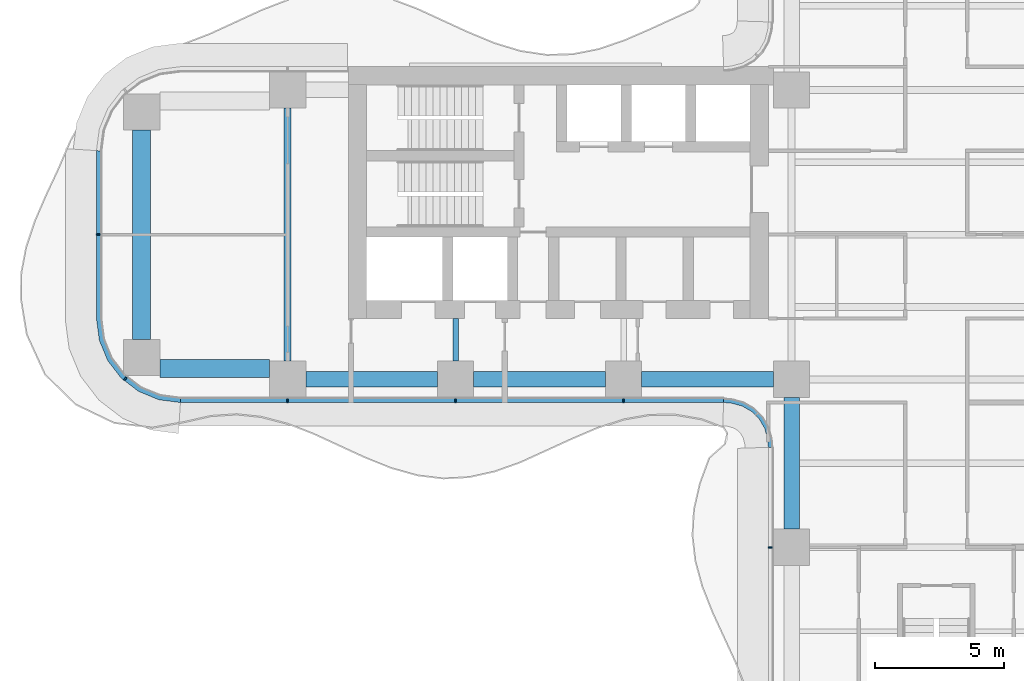
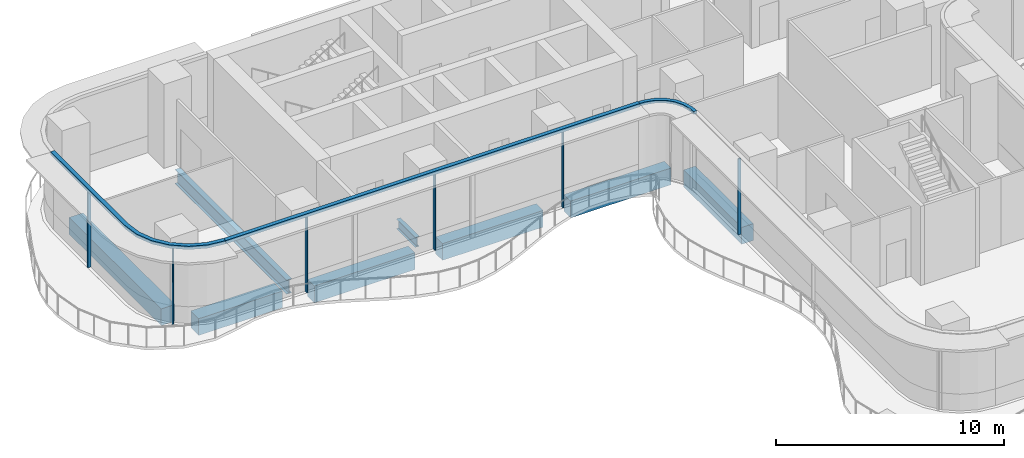
# One storey, part 3 of 22: 9 members, 8 beams, 4 elements without a shape of their own.
"""IFC4 building model written with IfcOpenShell, lengths in metres."""

import ifcopenshell
import ifcopenshell.guid

model = None  # the IFC model being written
_history = None  # IfcOwnerHistory: only IFC2X3 demands one
_inside = {}  # id of a spatial element -> (the spatial element, [elements in it])
_under = {}  # id of a project, library or spatial element -> (it, [spatial elements below it])
_declared = {}  # id of a project -> (the project, [libraries it declares])
_typed = {}  # id of a type object -> (the type object, [elements of that type])
_made_of = {}  # id of a material, layer set ... -> (it, [elements and type objects made of it])


def new_model(schema):
    """Start an empty IFC model of exactly this schema.

    Asked for "IFC4X3", IfcOpenShell would pick the latest addendum, in which some entities
    have other attributes; the version numbers below select the first issue.
    IFC2X3 requires an IfcOwnerHistory on every rooted entity: one is made here for all.
    """
    global model, _history
    if schema == "IFC4X3":
        model = ifcopenshell.file(schema_version=(4, 3, 0, 0))
    else:
        model = ifcopenshell.file(schema=schema)
    _inside.clear()
    _under.clear()
    _declared.clear()
    _typed.clear()
    _made_of.clear()
    _history = None
    if model.schema == "IFC2X3":
        org = make("IfcOrganization", Name="unknown")
        user = make(
            "IfcPersonAndOrganization",
            ThePerson=make("IfcPerson", FamilyName="unknown"),
            TheOrganization=org,
        )
        app = make(
            "IfcApplication",
            ApplicationDeveloper=org,
            Version="unknown",
            ApplicationFullName="unknown",
            ApplicationIdentifier="unknown",
        )
        _history = make(
            "IfcOwnerHistory",
            OwningUser=user,
            OwningApplication=app,
            ChangeAction="ADDED",
            CreationDate=0,
        )
    return model


def make(cls, **values):
    """One entity of the class cls with the attributes given. An attribute that is None is left unset."""
    return model.create_entity(
        cls, **{name: value for name, value in values.items() if value is not None}
    )


def rooted(cls, **values):
    """An entity with a GlobalId (a new one), such as an element, a storey or a relation."""
    return make(cls, GlobalId=ifcopenshell.guid.new(), OwnerHistory=_history, **values)


def si_unit(unit_type, name, prefix=None):
    """IfcSIUnit, for example si_unit("LENGTHUNIT", "METRE", prefix="MILLI")."""
    return make("IfcSIUnit", UnitType=unit_type, Prefix=prefix, Name=name)


def assignment(units):
    """IfcUnitAssignment: the units of a project."""
    return None if units is None else make("IfcUnitAssignment", Units=units)


def point(xyz):
    """IfcCartesianPoint."""
    return None if xyz is None else make("IfcCartesianPoint", Coordinates=xyz)


def direction(xyz):
    """IfcDirection."""
    return None if xyz is None else make("IfcDirection", DirectionRatios=xyz)


def frame(location, z_axis=None, x_axis=None):
    """IfcAxis2Placement3D, a coordinate frame: its origin and axes. An axis left out is left unset."""
    return make(
        "IfcAxis2Placement3D",
        Location=point(location),
        Axis=direction(z_axis),
        RefDirection=direction(x_axis),
    )


def frame_2d(location, x_axis=None):
    """IfcAxis2Placement2D, a coordinate frame in the plane: its origin and x axis."""
    return make(
        "IfcAxis2Placement2D", Location=point(location), RefDirection=direction(x_axis)
    )


def origin():
    """The frame at (0, 0, 0) with its axes left unset."""
    return frame((0.0, 0.0, 0.0))


def origin_2d():
    """The frame at (0, 0) in the plane with its x axis left unset."""
    return frame_2d((0.0, 0.0))


def place(relative_to, where):
    """IfcLocalPlacement: puts the frame where relative to a parent placement (None: the world)."""
    return make(
        "IfcLocalPlacement", PlacementRelTo=relative_to, RelativePlacement=where
    )


def context(
    kind, dimensions, precision=None, world=None, true_north=None, identifier=None
):
    """IfcGeometricRepresentationContext, for example the 3D "Model" context."""
    return make(
        "IfcGeometricRepresentationContext",
        ContextIdentifier=identifier,
        ContextType=kind,
        CoordinateSpaceDimension=dimensions,
        Precision=precision,
        WorldCoordinateSystem=world,
        TrueNorth=true_north,
    )


def subcontext(parent, identifier, kind, view, scale=None):
    """IfcGeometricRepresentationSubContext, for example "Body" below "Model"."""
    return make(
        "IfcGeometricRepresentationSubContext",
        ContextIdentifier=identifier,
        ContextType=kind,
        ParentContext=parent,
        TargetScale=scale,
        TargetView=view,
    )


def project(units=None, contexts=None):
    """IfcProject with its units and contexts."""
    return rooted(
        "IfcProject",
        Name="project",
        RepresentationContexts=contexts,
        UnitsInContext=assignment(units),
    )


def spatial(cls, under=None, at=None, **own):
    """A site, building, storey or space (cls), placed at a placement, below another one or the project."""
    s = rooted(cls, ObjectPlacement=at, **own)
    if under is not None:
        _under.setdefault(under.id(), (under, []))[1].append(s)
    return s


def polyline(points):
    """IfcPolyline through the points."""
    return make("IfcPolyline", Points=[point(p) for p in points])


def profile(cls, at=None, kind="AREA", **sizes):
    """A parametric profile (cls). Its sizes go by their IFC names, for example OverallWidth=200.0."""
    return make(cls, ProfileType=kind, Position=at, **sizes)


def rectangle(**sizes):
    """IfcRectangleProfileDef."""
    return profile("IfcRectangleProfileDef", **sizes)


def i_section(**sizes):
    """IfcIShapeProfileDef."""
    return profile("IfcIShapeProfileDef", **sizes)


def outline(outer, holes=None, kind="AREA"):
    """IfcArbitraryClosedProfileDef: a profile drawn as a closed curve; with holes, ...WithVoids."""
    if holes is None:
        return make("IfcArbitraryClosedProfileDef", ProfileType=kind, OuterCurve=outer)
    return make(
        "IfcArbitraryProfileDefWithVoids",
        ProfileType=kind,
        OuterCurve=outer,
        InnerCurves=holes,
    )


def extrude(swept, where, along, depth):
    """IfcExtrudedAreaSolid: the profile swept, set in the frame where, extruded along a direction by depth."""
    return make(
        "IfcExtrudedAreaSolid",
        SweptArea=swept,
        Position=where,
        ExtrudedDirection=direction(along),
        Depth=depth,
    )


def shape(context_of_items, identifier, shape_type, items):
    """IfcShapeRepresentation: the items that make up one representation, for example the "Body"."""
    return make(
        "IfcShapeRepresentation",
        ContextOfItems=context_of_items,
        RepresentationIdentifier=identifier,
        RepresentationType=shape_type,
        Items=items,
    )


def source(mapping_origin, context_of_items, identifier, shape_type, items):
    """IfcRepresentationMap: a shape defined once, which mapped items show again and again."""
    return make(
        "IfcRepresentationMap",
        MappingOrigin=mapping_origin,
        MappedRepresentation=shape(context_of_items, identifier, shape_type, items),
    )


def transform(
    local_origin,
    x_axis=None,
    y_axis=None,
    z_axis=None,
    scale=None,
    scale2=None,
    scale3=None,
    uniform=True,
):
    """IfcCartesianTransformationOperator3D, or its non-uniform kind. x_axis, y_axis, z_axis: its Axis1, 2, 3."""
    if uniform:
        return make(
            "IfcCartesianTransformationOperator3D",
            Axis1=direction(x_axis),
            Axis2=direction(y_axis),
            LocalOrigin=point(local_origin),
            Scale=scale,
            Axis3=direction(z_axis),
        )
    return make(
        "IfcCartesianTransformationOperator3DnonUniform",
        Axis1=direction(x_axis),
        Axis2=direction(y_axis),
        LocalOrigin=point(local_origin),
        Scale=scale,
        Axis3=direction(z_axis),
        Scale2=scale2,
        Scale3=scale3,
    )


def mapped(mapping_source, mapping_target):
    """IfcMappedItem: shows the shape of a source again, moved by a transform."""
    return make(
        "IfcMappedItem", MappingSource=mapping_source, MappingTarget=mapping_target
    )


def material(Name=None, Category=None):
    """IfcMaterial."""
    return make("IfcMaterial", Name=Name, Category=Category)


def layer(
    of_material, thickness, ventilated=None, Name=None, Category=None, Priority=None
):
    """IfcMaterialLayer: one layer of a wall or slab, of a material (None: an air gap)."""
    return make(
        "IfcMaterialLayer",
        Material=of_material,
        LayerThickness=thickness,
        IsVentilated=ventilated,
        Name=Name,
        Category=Category,
        Priority=Priority,
    )


def layer_set(layers, Name=None):
    """IfcMaterialLayerSet."""
    return make("IfcMaterialLayerSet", MaterialLayers=layers, LayerSetName=Name)


def material_profile(
    of_material, cross_section, Name=None, Category=None, Priority=None
):
    """IfcMaterialProfile: a cross section and its material."""
    return make(
        "IfcMaterialProfile",
        Name=Name,
        Material=of_material,
        Profile=cross_section,
        Priority=Priority,
        Category=Category,
    )


def profile_set(profiles, Name=None, composite=None):
    """IfcMaterialProfileSet."""
    return make(
        "IfcMaterialProfileSet",
        Name=Name,
        MaterialProfiles=profiles,
        CompositeProfile=composite,
    )


def made_of(thing, what):
    """Note that an element or type object is made of a material, layer set ...; save() writes the relation."""
    if what is not None:
        _made_of.setdefault(what.id(), (what, []))[1].append(thing)
    return thing


def type_object(cls, material=None, **own):
    """A type object (cls), such as IfcWallType, which elements share."""
    return made_of(rooted(cls, **own), material)


def element(
    cls,
    number,
    at=None,
    inside=None,
    cuts=None,
    type_object=None,
    material=None,
    context=None,
    identifier="Body",
    shape_type=None,
    held_by="IfcProductDefinitionShape",
    body=None,
    shapes=None,
    **own,
):
    """One element of the class cls, such as IfcWall. Its Tag is "e" and its number.

    at: its placement. inside: the storey or other place that contains it. cuts: it is an
    opening in that element (IfcRelVoidsElement). A single representation is given by context,
    identifier, shape_type and body (its items); several are given by shapes. held_by: the class
    of the entity that holds the representations. save() writes the other relations.
    """
    e = rooted(cls, Tag="e%d" % number, ObjectPlacement=at, **own)
    if body is not None:
        shapes = [shape(context, identifier, shape_type, body)]
    if shapes is not None:
        e.Representation = make(held_by, Representations=shapes)
    if inside is not None:
        _inside.setdefault(inside.id(), (inside, []))[1].append(e)
    if cuts is not None:
        rooted(
            "IfcRelVoidsElement", RelatingBuildingElement=cuts, RelatedOpeningElement=e
        )
    if type_object is not None:
        _typed.setdefault(type_object.id(), (type_object, []))[1].append(e)
    return made_of(e, material)


def aggregate(whole, parts):
    """IfcRelAggregates: a whole, such as a stair, and the parts it consists of."""
    return rooted("IfcRelAggregates", RelatingObject=whole, RelatedObjects=parts)


def save(model, path):
    """Write the relations noted so far, then the file.

    IfcRelAggregates (storeys below a building ...), IfcRelContainedInSpatialStructure (elements
    in a storey), IfcRelDefinesByType, IfcRelAssociatesMaterial and IfcRelDeclares: one each for
    every whole, place, type object, material and project.
    """
    for whole, parts in _under.values():
        aggregate(whole, parts)
    for where, things in _inside.values():
        rooted(
            "IfcRelContainedInSpatialStructure",
            RelatedElements=things,
            RelatingStructure=where,
        )
    for kind, things in _typed.values():
        rooted("IfcRelDefinesByType", RelatedObjects=things, RelatingType=kind)
    for what, things in _made_of.values():
        rooted("IfcRelAssociatesMaterial", RelatedObjects=things, RelatingMaterial=what)
    for by, libraries in _declared.values():
        rooted("IfcRelDeclares", RelatingContext=by, RelatedDefinitions=libraries)
    model.write(path)


model = new_model("IFC4")

# Units and contexts
model_context = context("Model", 3, precision=1e-05, world=origin(), true_north=direction((0.0, 1.0)))
body_context = subcontext(model_context, "Body", "Model", "MODEL_VIEW")
ifc_project = project(units=[si_unit("LENGTHUNIT", "METRE"), si_unit("AREAUNIT", "SQUARE_METRE"), si_unit("VOLUMEUNIT", "CUBIC_METRE"), si_unit("PLANEANGLEUNIT", "RADIAN"), si_unit("MASSUNIT", "GRAM", prefix="KILO")], contexts=[model_context])

# Site, building, storey
site_placement = place(None, origin())
site = spatial("IfcSite", under=ifc_project, at=site_placement, CompositionType="ELEMENT")
building_placement = place(site_placement, origin())
building = spatial("IfcBuilding", under=site, at=building_placement, Name="Trellis Farm Tower", CompositionType="ELEMENT")
storey_placement = place(building_placement, frame((0.0, 0.0, 38.5)))
storey = spatial("IfcBuildingStorey", under=building, at=storey_placement, Name="L07", CompositionType="ELEMENT", Elevation=38.5)

# Beams
ifc_material_1 = material(Name="Concrete C60/75", Category="concrete")
ifc_material_profile_1 = material_profile(ifc_material_1, rectangle(XDim=0.60009765625, YDim=0.89990234375, at=origin_2d()), Name="RC spandrel beam 600x900 C60/75")
ifc_profile_set_1 = profile_set([ifc_material_profile_1], Name="Concrete C60/75")
beam_type_1 = type_object("IfcBeamType", Name="RC spandrel beam 600x900 C60/75", PredefinedType="SPANDREL", material=ifc_profile_set_1)
shared_shape_1 = source(origin(), body_context, "Body", "SweptSolid", [
    extrude(rectangle(XDim=0.60009765625, YDim=0.89990234375, at=origin_2d()), origin(), (0.0, 0.0, 1.0), 5.099853515625),
])
for number, where, z_axis, x_axis, name in (
    (1, (-24.39990234375, -5.60009765625, -0.699951171875), (1.0, 0.0, 0.0), (0.0, 1.0, 0.0), "Girder"),
    (2, (-17.89990234375, -5.60009765625, -0.699951171875), (1.0, 0.0, 0.0), (0.0, 1.0, 0.0), "Girder"),
    (3, (-11.39990234375, -5.60009765625, -0.699951171875), (1.0, 0.0, 0.0), (0.0, 1.0, 0.0), "Girder"),
    (4, (-5.60009765625, -11.39990234375, -0.699951171875), (0.0, 1.0, 0.0), (-1.0, 0.0, 0.0), "Girder"),
):
    element("IfcBeam", number, at=place(storey_placement, frame(where, z_axis=z_axis, x_axis=x_axis)), inside=storey, type_object=beam_type_1, Name=name, PredefinedType="SPANDREL", context=body_context, shape_type="MappedRepresentation", body=[
        mapped(shared_shape_1, transform((0.0, 0.0, 0.0))),
    ])
ifc_material_2 = material(Name="Steel S355", Category="steel")
ifc_material_profile_2 = material_profile(ifc_material_2, i_section(OverallWidth=0.2666015625, OverallDepth=0.76220703125, WebThickness=0.014404296875, FlangeThickness=0.021484375, FilletRadius=0.0166015625, at=origin_2d()), Name="UB 762x267x173")
ifc_profile_set_2 = profile_set([ifc_material_profile_2], Name="Steel S355")
beam_type_2 = type_object("IfcBeamType", Name="UB 762x267x173", PredefinedType="BEAM", material=ifc_profile_set_2)
shared_shape_2 = source(origin(), body_context, "Body", "SweptSolid", [
    extrude(i_section(OverallWidth=0.2666015625, OverallDepth=0.76220703125, WebThickness=0.014404296875, FlangeThickness=0.021484375, FilletRadius=0.0166015625, at=origin_2d()), origin(), (0.0, 0.0, 1.0), 9.7998046875),
])
beam_1_placement = place(storey_placement, frame((-25.10009765625, -4.89990234375, -0.631103515625), z_axis=(0.0, 1.0, 0.0), x_axis=(-1.0, 0.0, 0.0)))
element("IfcBeam", 5, at=beam_1_placement, inside=storey, type_object=beam_type_2, Name="Girder", PredefinedType="BEAM", context=body_context, shape_type="MappedRepresentation", body=[
    mapped(shared_shape_2, transform((0.0, 0.0, 0.0))),
])
ifc_material_profile_3 = material_profile(ifc_material_1, rectangle(XDim=0.699951171875, YDim=0.89990234375, at=origin_2d()), Name="RC spandrel beam 700x900 C60/75")
ifc_profile_set_3 = profile_set([ifc_material_profile_3], Name="Concrete C60/75")
beam_type_3 = type_object("IfcBeamType", Name="RC spandrel beam 700x900 C60/75", PredefinedType="SPANDREL", material=ifc_profile_set_3)
shared_shape_3 = source(origin(), body_context, "Body", "SweptSolid", [
    extrude(rectangle(XDim=0.699951171875, YDim=0.89990234375, at=origin_2d()), origin(), (0.0, 0.0, 1.0), 4.25),
])
beam_2_placement = place(storey_placement, frame((-30.050048828125, -5.175048828125, -0.699951171875), z_axis=(1.0, 0.0, 0.0), x_axis=(0.0, 1.0, 0.0)))
element("IfcBeam", 6, at=beam_2_placement, inside=storey, type_object=beam_type_3, Name="Girder", PredefinedType="SPANDREL", context=body_context, shape_type="MappedRepresentation", body=[
    mapped(shared_shape_3, transform((0.0, 0.0, 0.0))),
])
shared_shape_4 = source(origin(), body_context, "Body", "SweptSolid", [
    extrude(rectangle(XDim=0.699951171875, YDim=0.89990234375, at=origin_2d()), origin(), (0.0, 0.0, 1.0), 8.10009765625),
])
beam_3_placement = place(storey_placement, frame((-30.75, -4.050048828125, -0.699951171875), z_axis=(0.0, 1.0, 0.0), x_axis=(-1.0, 0.0, 0.0)))
element("IfcBeam", 7, at=beam_3_placement, inside=storey, type_object=beam_type_3, Name="Girder", PredefinedType="SPANDREL", context=body_context, shape_type="MappedRepresentation", body=[
    mapped(shared_shape_4, transform((0.0, 0.0, 0.0))),
])
ifc_material_profile_4 = material_profile(ifc_material_2, i_section(OverallWidth=0.209228515625, OverallDepth=0.533203125, WebThickness=0.010009765625, FlangeThickness=0.015625, FilletRadius=0.0126953125, at=origin_2d()), Name="UB 533x210x92")
ifc_profile_set_4 = profile_set([ifc_material_profile_4], Name="Steel S355")
beam_type_4 = type_object("IfcBeamType", Name="UB 533x210x92", PredefinedType="BEAM", material=ifc_profile_set_4)
shared_shape_5 = source(origin(), body_context, "Body", "SweptSolid", [
    extrude(i_section(OverallWidth=0.209228515625, OverallDepth=0.533203125, WebThickness=0.010009765625, FlangeThickness=0.015625, FilletRadius=0.0126953125, at=origin_2d()), origin(), (0.0, 0.0, 1.0), 1.64990234375),
])
beam_4_placement = place(storey_placement, frame((-18.60009765625, -4.89990234375, -0.5166015625), z_axis=(0.0, 1.0, 0.0), x_axis=(-1.0, 0.0, 0.0)))
element("IfcBeam", 8, at=beam_4_placement, inside=storey, type_object=beam_type_4, Name="Girder", PredefinedType="BEAM", context=body_context, shape_type="MappedRepresentation", body=[
    mapped(shared_shape_5, transform((0.0, 0.0, 0.0))),
])

# Curtain wall, members
ifc_material_3 = material(Name="Aluminium and glass curtain wall", Category="aluminium")
ifc_layer_1 = layer(ifc_material_3, 0.18994140625)
ifc_layer_set_1 = layer_set([ifc_layer_1], Name="RIBBON CURTAIN WALL CW1")
curtain_wall_type_1 = type_object("IfcCurtainWallType", Name="RIBBON CURTAIN WALL CW1", PredefinedType="NOTDEFINED", material=ifc_layer_set_1)
placement_1 = place(storey_placement, origin())
curtain_wall_1 = element("IfcCurtainWall", 9, at=placement_1, inside=storey, type_object=curtain_wall_type_1, Name="CW1 001", PredefinedType="NOTDEFINED")
ifc_material_4 = material(Name="Aluminium extrusion 6063-T6", Category="aluminium")
ifc_material_profile_5 = material_profile(ifc_material_4, rectangle(XDim=0.06005859375, YDim=0.14990234375, at=origin_2d()), Name="MULLION 60x150")
ifc_profile_set_5 = profile_set([ifc_material_profile_5], Name="Aluminium extrusion 6063-T6")
member_type_1 = type_object("IfcMemberType", Name="CW1 MULLION 60x150", PredefinedType="MULLION", material=ifc_profile_set_5)
shared_shape_6 = source(origin(), body_context, "Body", "SweptSolid", [
    extrude(rectangle(XDim=0.06005859375, YDim=0.14990234375, at=origin_2d()), origin(), (0.0, 0.0, 1.0), 4.070068359375),
])
member_1_placement = place(storey_placement, frame((-25.10009765625, -6.425048828125, 0.0), z_axis=(0.0, 0.0, 1.0), x_axis=(1.0, 0.0, 0.0)))
member_1 = element("IfcMember", 10, at=member_1_placement, type_object=member_type_1, Name="MU1 001-01", PredefinedType="MULLION", context=body_context, shape_type="MappedRepresentation", body=[
    mapped(shared_shape_6, transform((0.0, 0.0, 0.0))),
])
member_2_placement = place(storey_placement, frame((-18.60009765625, -6.425048828125, 0.0), z_axis=(0.0, 0.0, 1.0), x_axis=(1.0, 0.0, 0.0)))
member_2 = element("IfcMember", 11, at=member_2_placement, type_object=member_type_1, Name="MU1 001-02", PredefinedType="MULLION", context=body_context, shape_type="MappedRepresentation", body=[
    mapped(shared_shape_6, transform((0.0, 0.0, 0.0))),
])
member_3_placement = place(storey_placement, frame((-12.10009765625, -6.425048828125, 0.0), z_axis=(0.0, 0.0, 1.0), x_axis=(1.0, 0.0, 0.0)))
member_3 = element("IfcMember", 12, at=member_3_placement, type_object=member_type_1, Name="MU1 001-03", PredefinedType="MULLION", context=body_context, shape_type="MappedRepresentation", body=[
    mapped(shared_shape_6, transform((0.0, 0.0, 0.0))),
])

# Curtain wall, member
curtain_wall_2 = element("IfcCurtainWall", 13, at=placement_1, inside=storey, type_object=curtain_wall_type_1, Name="CW1 002", PredefinedType="NOTDEFINED")
member_4_placement = place(storey_placement, frame((-6.425048828125, -12.10009765625, 0.0), z_axis=(0.0, 0.0, 1.0), x_axis=(0.0, -1.0, 0.0)))
member_4 = element("IfcMember", 14, at=member_4_placement, type_object=member_type_1, Name="MU1 002-01", PredefinedType="MULLION", context=body_context, shape_type="MappedRepresentation", body=[
    mapped(shared_shape_6, transform((0.0, 0.0, 0.0))),
])
aggregate(curtain_wall_2, [member_4])

# Curtain wall, members
curtain_wall_3 = element("IfcCurtainWall", 15, at=placement_1, inside=storey, type_object=curtain_wall_type_1, Name="CW1 013", PredefinedType="NOTDEFINED")
member_5_placement = place(storey_placement, frame((-32.425048828125, 0.0, 0.0), z_axis=(0.0, 0.0, 1.0), x_axis=(0.0, -1.0, 0.0)))
member_5 = element("IfcMember", 16, at=member_5_placement, type_object=member_type_1, Name="MU1 013-01", PredefinedType="MULLION", context=body_context, shape_type="MappedRepresentation", body=[
    mapped(shared_shape_6, transform((0.0, 0.0, 0.0))),
])
member_6_placement = place(storey_placement, frame((-31.385498046875, -5.578369140625, 0.0), z_axis=(0.0, 0.0, 1.0), x_axis=(0.793353340291, -0.608761429009, 0.0)))
member_6 = element("IfcMember", 17, at=member_6_placement, type_object=member_type_1, Name="MU1 013-02", PredefinedType="MULLION", context=body_context, shape_type="MappedRepresentation", body=[
    mapped(shared_shape_6, transform((0.0, 0.0, 0.0))),
])

# Member
ifc_layer_2 = layer(ifc_material_4, 0.199951171875)
ifc_layer_set_2 = layer_set([ifc_layer_2], Name="Aluminium extrusion 6063-T6")
member_type_2 = type_object("IfcMemberType", Name="CW1 TRANSOM 200x180", PredefinedType="USERDEFINED", material=ifc_layer_set_2)
shared_shape_7 = source(origin(), body_context, "Body", "SweptSolid", [
    extrude(outline(polyline([(-29.25, -6.5), (-8.2314453125, -6.5), (-8.224853515625, -6.300048828125), (-29.23681640625, -6.300048828125), (-29.25, -6.5)])), origin(), (0.0, 0.0, 1.0), 0.179931640625),
])
placement_2 = place(storey_placement, frame((0.0, 0.0, 4.070068359375)))
member_7 = element("IfcMember", 18, at=placement_2, type_object=member_type_2, Name="TR1 001", ObjectType="TRANSOM", PredefinedType="USERDEFINED", context=body_context, shape_type="MappedRepresentation", body=[
    mapped(shared_shape_7, transform((0.0, 0.0, 0.0))),
])

aggregate(curtain_wall_1, [member_1, member_2, member_3, member_7])

# Curtain wall, member
ifc_layer_3 = layer(ifc_material_3, 0.166015625)
ifc_layer_set_3 = layer_set([ifc_layer_3], Name="WINTER GARDEN CURTAIN WALL CW3")
curtain_wall_type_2 = type_object("IfcCurtainWallType", Name="WINTER GARDEN CURTAIN WALL CW3", PredefinedType="NOTDEFINED", material=ifc_layer_set_3)
curtain_wall_4 = element("IfcCurtainWall", 19, at=placement_1, inside=storey, type_object=curtain_wall_type_2, Name="CW3 001", PredefinedType="NOTDEFINED")
ifc_layer_4 = layer(ifc_material_4, 0.169921875)
ifc_layer_set_4 = layer_set([ifc_layer_4], Name="Aluminium extrusion 6063-T6")
member_type_3 = type_object("IfcMemberType", Name="CW3 TRANSOM 170x150", PredefinedType="USERDEFINED", material=ifc_layer_set_4)
shared_shape_8 = source(origin(), body_context, "Body", "SweptSolid", [
    extrude(outline(polyline([(-8.2314453125, -6.5), (-8.01953125, -6.513916015625), (-7.91552734375, -6.527587890625), (-7.508544921875, -6.63671875), (-7.144287109375, -6.846923828125), (-6.846923828125, -7.144287109375), (-6.63671875, -7.508544921875), (-6.527587890625, -7.91552734375), (-6.513916015625, -8.01953125), (-6.5, -8.2314453125), (-6.330078125, -8.225830078125), (-6.3447265625, -8.0029296875), (-6.360595703125, -7.88232421875), (-6.478271484375, -7.44287109375), (-6.7109375, -7.0400390625), (-7.0400390625, -6.7109375), (-7.44287109375, -6.478271484375), (-7.88232421875, -6.360595703125), (-8.0029296875, -6.3447265625), (-8.225830078125, -6.330078125), (-8.2314453125, -6.5)])), origin(), (0.0, 0.0, 1.0), 0.14990234375),
])
member_8_placement = place(storey_placement, frame((0.0, 0.0, 4.10009765625)))
member_8 = element("IfcMember", 20, at=member_8_placement, type_object=member_type_3, Name="TR3 001", ObjectType="TRANSOM", PredefinedType="USERDEFINED", context=body_context, shape_type="MappedRepresentation", body=[
    mapped(shared_shape_8, transform((0.0, 0.0, 0.0))),
])
aggregate(curtain_wall_4, [member_8])

# Member
shared_shape_9 = source(origin(), body_context, "Body", "SweptSolid", [
    extrude(outline(polyline([(-32.5, 3.25), (-32.5, -3.25), (-32.38916015625, -4.091064453125), (-32.064697265625, -4.875), (-31.548095703125, -5.548095703125), (-30.875, -6.064697265625), (-30.091064453125, -6.38916015625), (-29.25, -6.5), (-29.23681640625, -6.300048828125), (-30.0390625, -6.1943359375), (-30.774169921875, -5.889892578125), (-31.405517578125, -5.405517578125), (-31.889892578125, -4.774169921875), (-32.1943359375, -4.0390625), (-32.300048828125, -3.23681640625), (-32.300048828125, 3.23681640625), (-32.5, 3.25)])), origin(), (0.0, 0.0, 1.0), 0.179931640625),
])
member_9 = element("IfcMember", 21, at=placement_2, type_object=member_type_2, Name="TR1 013", ObjectType="TRANSOM", PredefinedType="USERDEFINED", context=body_context, shape_type="MappedRepresentation", body=[
    mapped(shared_shape_9, transform((0.0, 0.0, 0.0))),
])

aggregate(curtain_wall_3, [member_5, member_6, member_9])

save(model, "model.ifc")
